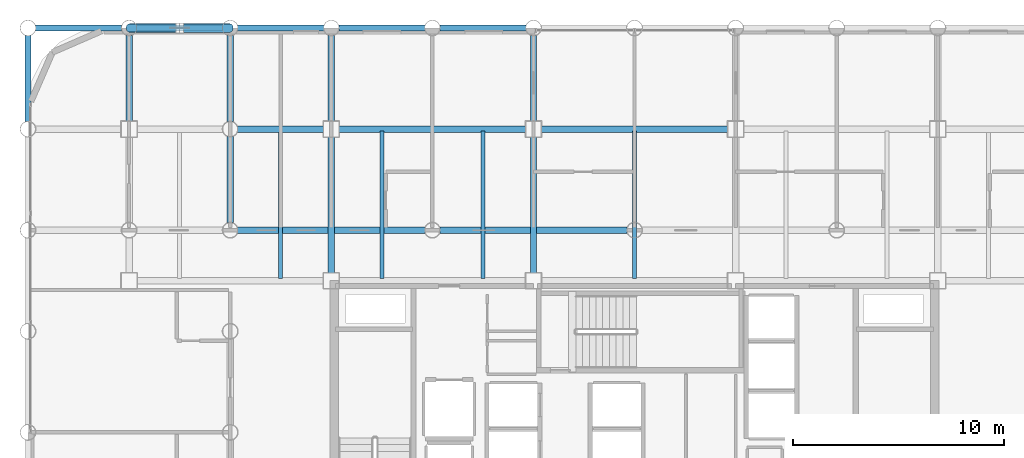
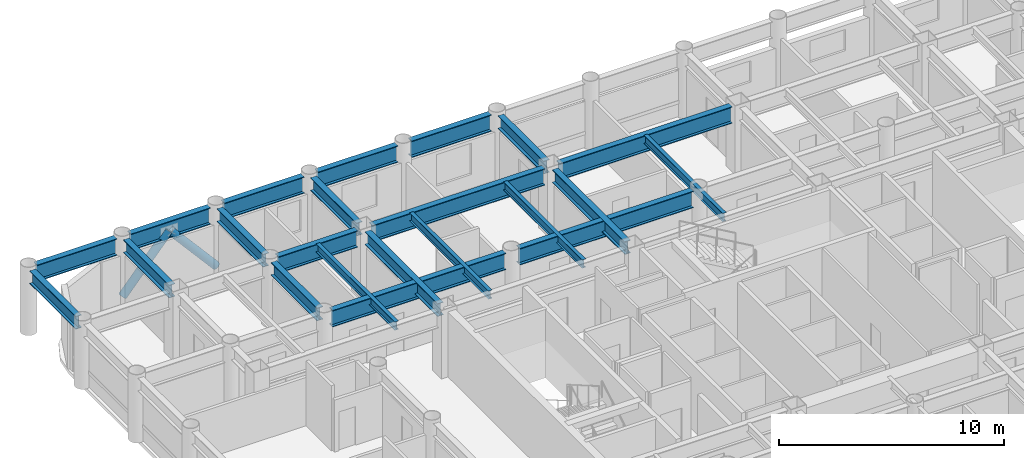
# One storey, part 10 of 20: 22 beams, 2 members.
"""IFC4 building model written with IfcOpenShell, lengths in metres."""

from ifc_helpers import new_model, si_unit, direction, frame, origin, origin_2d, place, context, subcontext, project, spatial, hollow_circle, i_section, extrude, material, material_profile, profile_set, type_object, element, save


model = new_model("IFC4")

# Units and contexts
model_context = context("Model", 3, precision=1e-05, world=origin(), true_north=direction((0.0, 1.0)))
body_context = subcontext(model_context, "Body", "Model", "MODEL_VIEW")
ifc_project = project(units=[si_unit("LENGTHUNIT", "METRE"), si_unit("AREAUNIT", "SQUARE_METRE"), si_unit("VOLUMEUNIT", "CUBIC_METRE"), si_unit("PLANEANGLEUNIT", "RADIAN"), si_unit("MASSUNIT", "GRAM", prefix="KILO")], contexts=[model_context])

# Site, building, storey
site_placement = place(None, origin())
site = spatial("IfcSite", under=ifc_project, at=site_placement, CompositionType="ELEMENT")
building_placement = place(site_placement, origin())
building = spatial("IfcBuilding", under=site, at=building_placement, Name="Kallvorn Hotel Tower", CompositionType="ELEMENT")
storey_placement = place(building_placement, frame((0.0, 0.0, 70.699951171875)))
storey = spatial("IfcBuildingStorey", under=building, at=storey_placement, Name="L16", CompositionType="ELEMENT", Elevation=70.699951171875)

# Beams
ifc_material_1 = material(Name="Structural steel S355JR", Category="steel")
ifc_material_profile_1 = material_profile(ifc_material_1, i_section(OverallWidth=0.300048828125, OverallDepth=0.699951171875, WebThickness=0.01708984375, FlangeThickness=0.031982421875, at=origin_2d()), Name="HE 700 B")
ifc_profile_set_1 = profile_set([ifc_material_profile_1], Name="Structural steel S355JR")
beam_type_1 = type_object("IfcBeamType", Name="BM_HE700B", PredefinedType="BEAM", material=ifc_profile_set_1)
beam_1_placement = place(storey_placement, frame((-28.800048828125, 14.756103515625, 3.170166015625), z_axis=(0.0, 1.0, 0.0), x_axis=(-1.0, 0.0, 0.0)))
element("IfcBeam", 1, at=beam_1_placement, inside=storey, type_object=beam_type_1, Name="L17 Primary Y-Girder 80", PredefinedType="BEAM", context=body_context, shape_type="SweptSolid", body=[
    extrude(i_section(OverallWidth=0.300048828125, OverallDepth=0.699951171875, WebThickness=0.01708984375, FlangeThickness=0.031982421875, at=origin_2d()), origin(), (0.0, 0.0, 1.0), 4.087890625),
])
beam_2_placement = place(storey_placement, frame((-24.0, 14.77490234375, 3.170166015625), z_axis=(0.0, 1.0, 0.0), x_axis=(-1.0, 0.0, 0.0)))
element("IfcBeam", 2, at=beam_2_placement, inside=storey, type_object=beam_type_1, Name="L17 Primary Y-Girder 87", PredefinedType="BEAM", context=body_context, shape_type="SweptSolid", body=[
    extrude(i_section(OverallWidth=0.300048828125, OverallDepth=0.699951171875, WebThickness=0.01708984375, FlangeThickness=0.031982421875, at=origin_2d()), origin(), (0.0, 0.0, 1.0), 4.069091796875),
])
for number, where, z_axis, x_axis, name in (
    (3, (-19.199951171875, 9.9560546875, 3.170166015625), (0.0, 1.0, 0.0), (-1.0, 0.0, 0.0), "L17 Primary Y-Girder 95"),
    (4, (-19.199951171875, 14.756103515625, 3.170166015625), (0.0, 1.0, 0.0), (-1.0, 0.0, 0.0), "L17 Primary Y-Girder 96"),
):
    element("IfcBeam", number, at=place(storey_placement, frame(where, z_axis=z_axis, x_axis=x_axis)), inside=storey, type_object=beam_type_1, Name=name, PredefinedType="BEAM", context=body_context, shape_type="SweptSolid", body=[
        extrude(i_section(OverallWidth=0.300048828125, OverallDepth=0.699951171875, WebThickness=0.01708984375, FlangeThickness=0.031982421875, at=origin_2d()), origin(), (0.0, 0.0, 1.0), 4.087890625),
    ])
beam_3_placement = place(storey_placement, frame((-14.39990234375, 7.574951171875, 3.170166015625), z_axis=(0.0, 1.0, 0.0), x_axis=(-1.0, 0.0, 0.0)))
element("IfcBeam", 5, at=beam_3_placement, inside=storey, type_object=beam_type_1, Name="L17 Primary Y-Girder 100", PredefinedType="BEAM", context=body_context, shape_type="SweptSolid", body=[
    extrude(i_section(OverallWidth=0.300048828125, OverallDepth=0.699951171875, WebThickness=0.01708984375, FlangeThickness=0.031982421875, at=origin_2d()), origin(), (0.0, 0.0, 1.0), 6.449951171875),
])
beam_4_placement = place(storey_placement, frame((-14.39990234375, 14.77490234375, 3.170166015625), z_axis=(0.0, 1.0, 0.0), x_axis=(-1.0, 0.0, 0.0)))
element("IfcBeam", 6, at=beam_4_placement, inside=storey, type_object=beam_type_1, Name="L17 Primary Y-Girder 101", PredefinedType="BEAM", context=body_context, shape_type="SweptSolid", body=[
    extrude(i_section(OverallWidth=0.300048828125, OverallDepth=0.699951171875, WebThickness=0.01708984375, FlangeThickness=0.031982421875, at=origin_2d()), origin(), (0.0, 0.0, 1.0), 4.069091796875),
])
beam_5_placement = place(storey_placement, frame((-4.800048828125, 7.574951171875, 3.170166015625), z_axis=(0.0, 1.0, 0.0), x_axis=(-1.0, 0.0, 0.0)))
element("IfcBeam", 7, at=beam_5_placement, inside=storey, type_object=beam_type_1, Name="L17 Primary Y-Girder 108", PredefinedType="BEAM", context=body_context, shape_type="SweptSolid", body=[
    extrude(i_section(OverallWidth=0.300048828125, OverallDepth=0.699951171875, WebThickness=0.01708984375, FlangeThickness=0.031982421875, at=origin_2d()), origin(), (0.0, 0.0, 1.0), 6.449951171875),
])
beam_6_placement = place(storey_placement, frame((-4.800048828125, 14.77490234375, 3.170166015625), z_axis=(0.0, 1.0, 0.0), x_axis=(-1.0, 0.0, 0.0)))
element("IfcBeam", 8, at=beam_6_placement, inside=storey, type_object=beam_type_1, Name="L17 Primary Y-Girder 109", PredefinedType="BEAM", context=body_context, shape_type="SweptSolid", body=[
    extrude(i_section(OverallWidth=0.300048828125, OverallDepth=0.699951171875, WebThickness=0.01708984375, FlangeThickness=0.031982421875, at=origin_2d()), origin(), (0.0, 0.0, 1.0), 4.069091796875),
])
ifc_material_2 = material(Name="Structural steel S355JR", Category="steel")
ifc_material_profile_2 = material_profile(ifc_material_2, i_section(OverallWidth=0.300048828125, OverallDepth=0.89990234375, WebThickness=0.0185546875, FlangeThickness=0.034912109375, at=origin_2d()), Name="HE 900 B")
ifc_profile_set_2 = profile_set([ifc_material_profile_2], Name="Structural steel S355JR")
beam_type_2 = type_object("IfcBeamType", Name="BM_HE900B", PredefinedType="BEAM", material=ifc_profile_set_2)
for number, where, z_axis, x_axis, name in (
    (9, (-18.843994140625, 9.60009765625, 3.070068359375), (1.0, 0.0, 0.0), (0.0, 1.0, 0.0), "L17 Primary X-Girder 44"),
    (10, (-9.243896484375, 9.60009765625, 3.070068359375), (1.0, 0.0, 0.0), (0.0, 1.0, 0.0), "L17 Primary X-Girder 45"),
):
    element("IfcBeam", number, at=place(storey_placement, frame(where, z_axis=z_axis, x_axis=x_axis)), inside=storey, type_object=beam_type_2, Name=name, PredefinedType="BEAM", context=body_context, shape_type="SweptSolid", body=[
        extrude(i_section(OverallWidth=0.300048828125, OverallDepth=0.89990234375, WebThickness=0.0185546875, FlangeThickness=0.034912109375, at=origin_2d()), origin(), (0.0, 0.0, 1.0), 8.887939453125),
    ])
beam_7_placement = place(storey_placement, frame((-18.843994140625, 14.39990234375, 3.070068359375), z_axis=(1.0, 0.0, 0.0), x_axis=(0.0, 1.0, 0.0)))
element("IfcBeam", 11, at=beam_7_placement, inside=storey, type_object=beam_type_2, Name="L17 Primary X-Girder 53", PredefinedType="BEAM", context=body_context, shape_type="SweptSolid", body=[
    extrude(i_section(OverallWidth=0.300048828125, OverallDepth=0.89990234375, WebThickness=0.0185546875, FlangeThickness=0.034912109375, at=origin_2d()), origin(), (0.0, 0.0, 1.0), 4.069091796875),
])
beam_8_placement = place(storey_placement, frame((-14.02490234375, 14.39990234375, 3.070068359375), z_axis=(1.0, 0.0, 0.0), x_axis=(0.0, 1.0, 0.0)))
element("IfcBeam", 12, at=beam_8_placement, inside=storey, type_object=beam_type_2, Name="L17 Primary X-Girder 54", PredefinedType="BEAM", context=body_context, shape_type="SweptSolid", body=[
    extrude(i_section(OverallWidth=0.300048828125, OverallDepth=0.89990234375, WebThickness=0.0185546875, FlangeThickness=0.034912109375, at=origin_2d()), origin(), (0.0, 0.0, 1.0), 8.849853515625),
])
beam_9_placement = place(storey_placement, frame((-4.425048828125, 14.39990234375, 3.070068359375), z_axis=(1.0, 0.0, 0.0), x_axis=(0.0, 1.0, 0.0)))
element("IfcBeam", 13, at=beam_9_placement, inside=storey, type_object=beam_type_2, Name="L17 Primary X-Girder 55", PredefinedType="BEAM", context=body_context, shape_type="SweptSolid", body=[
    extrude(i_section(OverallWidth=0.300048828125, OverallDepth=0.89990234375, WebThickness=0.0185546875, FlangeThickness=0.034912109375, at=origin_2d()), origin(), (0.0, 0.0, 1.0), 8.85009765625),
])
for number, where, z_axis, x_axis, name in (
    (14, (-28.444091796875, 19.199951171875, 3.070068359375), (1.0, 0.0, 0.0), (0.0, 1.0, 0.0), "L17 Primary X-Girder 61"),
    (15, (-23.64404296875, 19.199951171875, 3.070068359375), (1.0, 0.0, 0.0), (0.0, 1.0, 0.0), "L17 Primary X-Girder 62"),
):
    element("IfcBeam", number, at=place(storey_placement, frame(where, z_axis=z_axis, x_axis=x_axis)), inside=storey, type_object=beam_type_2, Name=name, PredefinedType="BEAM", context=body_context, shape_type="SweptSolid", body=[
        extrude(i_section(OverallWidth=0.300048828125, OverallDepth=0.89990234375, WebThickness=0.0185546875, FlangeThickness=0.034912109375, at=origin_2d()), origin(), (0.0, 0.0, 1.0), 4.088134765625),
    ])
for number, where, z_axis, x_axis, name in (
    (16, (-18.843994140625, 19.199951171875, 3.070068359375), (1.0, 0.0, 0.0), (0.0, 1.0, 0.0), "L17 Primary X-Girder 63"),
    (17, (-14.0439453125, 19.199951171875, 3.070068359375), (1.0, 0.0, 0.0), (0.0, 1.0, 0.0), "L17 Primary X-Girder 64"),
    (18, (-9.243896484375, 19.199951171875, 3.070068359375), (1.0, 0.0, 0.0), (0.0, 1.0, 0.0), "L17 Primary X-Girder 65"),
):
    element("IfcBeam", number, at=place(storey_placement, frame(where, z_axis=z_axis, x_axis=x_axis)), inside=storey, type_object=beam_type_2, Name=name, PredefinedType="BEAM", context=body_context, shape_type="SweptSolid", body=[
        extrude(i_section(OverallWidth=0.300048828125, OverallDepth=0.89990234375, WebThickness=0.0185546875, FlangeThickness=0.034912109375, at=origin_2d()), origin(), (0.0, 0.0, 1.0), 4.087890625),
    ])
ifc_material_3 = material(Name="Structural steel S355JR", Category="steel")
ifc_material_profile_3 = material_profile(ifc_material_3, i_section(OverallWidth=0.18994140625, OverallDepth=0.449951171875, WebThickness=0.009521484375, FlangeThickness=0.0146484375, at=origin_2d()), Name="IPE 450")
ifc_profile_set_3 = profile_set([ifc_material_profile_3], Name="Structural steel S355JR")
beam_type_3 = type_object("IfcBeamType", Name="BM_IPE450", PredefinedType="JOIST", material=ifc_profile_set_3)
for number, where, z_axis, x_axis, name in (
    (19, (-16.800048828125, 7.300048828125, 3.295166015625), (0.0, 1.0, 0.0), (-1.0, 0.0, 0.0), "L17 Secondary Composite Joist 195"),
    (20, (-12.0, 7.300048828125, 3.295166015625), (0.0, 1.0, 0.0), (-1.0, 0.0, 0.0), "L17 Secondary Composite Joist 197"),
    (21, (-7.199951171875, 7.300048828125, 3.295166015625), (0.0, 1.0, 0.0), (-1.0, 0.0, 0.0), "L17 Secondary Composite Joist 199"),
    (22, (0.0, 7.300048828125, 3.295166015625), (0.0, 1.0, 0.0), (-1.0, 0.0, 0.0), "L17 Secondary Composite Joist 201"),
):
    element("IfcBeam", number, at=place(storey_placement, frame(where, z_axis=z_axis, x_axis=x_axis)), inside=storey, type_object=beam_type_3, Name=name, PredefinedType="JOIST", context=body_context, shape_type="SweptSolid", body=[
        extrude(i_section(OverallWidth=0.18994140625, OverallDepth=0.449951171875, WebThickness=0.009521484375, FlangeThickness=0.0146484375, at=origin_2d()), origin(), (0.0, 0.0, 1.0), 7.0),
    ])

# Members
ifc_material_4 = material(Name="Structural steel S355J2H", Category="steel")
ifc_material_profile_4 = material_profile(ifc_material_4, hollow_circle(Radius=0.203125, WallThickness=0.01611328125, at=origin_2d()), Name="CHS 406.4x16")
ifc_profile_set_4 = profile_set([ifc_material_profile_4], Name="Structural steel S355J2H")
member_type = type_object("IfcMemberType", Name="MBR_EXO_CHS406", PredefinedType="BRACE", material=ifc_profile_set_4)
for number, where, z_axis, x_axis, name in (
    (23, (-23.98681640625, 19.199951171875, 0.195068359375), (0.653427382465, 0.0, 0.756989204576), (0.0, 1.0, 0.0), "L16 Exoskeleton K-Brace N1A"),
    (24, (-19.213134765625, 19.199951171875, 0.195068359375), (-0.653427382465, 0.0, 0.756989204576), (0.0, -1.0, 0.0), "L16 Exoskeleton K-Brace N1B"),
):
    element("IfcMember", number, at=place(storey_placement, frame(where, z_axis=z_axis, x_axis=x_axis)), inside=storey, type_object=member_type, Name=name, PredefinedType="BRACE", context=body_context, shape_type="SweptSolid", body=[
        extrude(hollow_circle(Radius=0.203125, WallThickness=0.01611328125, at=origin_2d()), origin(), (0.0, 0.0, 1.0), 3.6328125),
    ])

save(model, "model.ifc")
